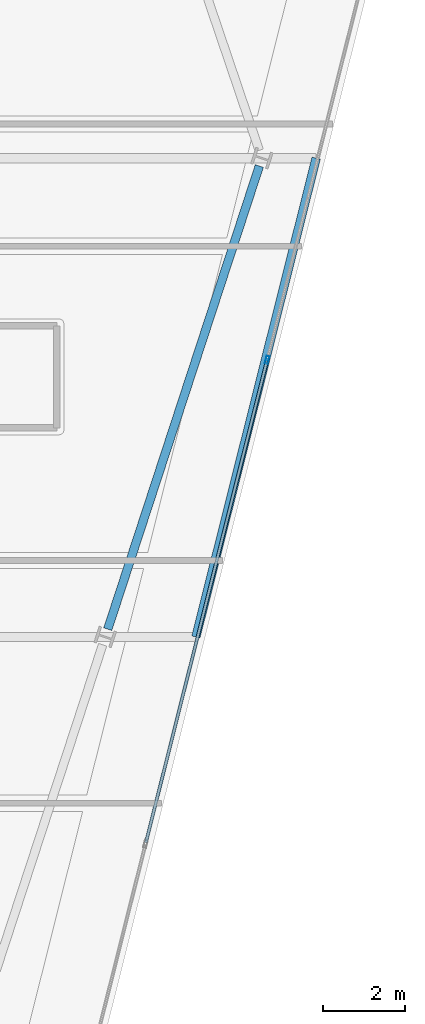
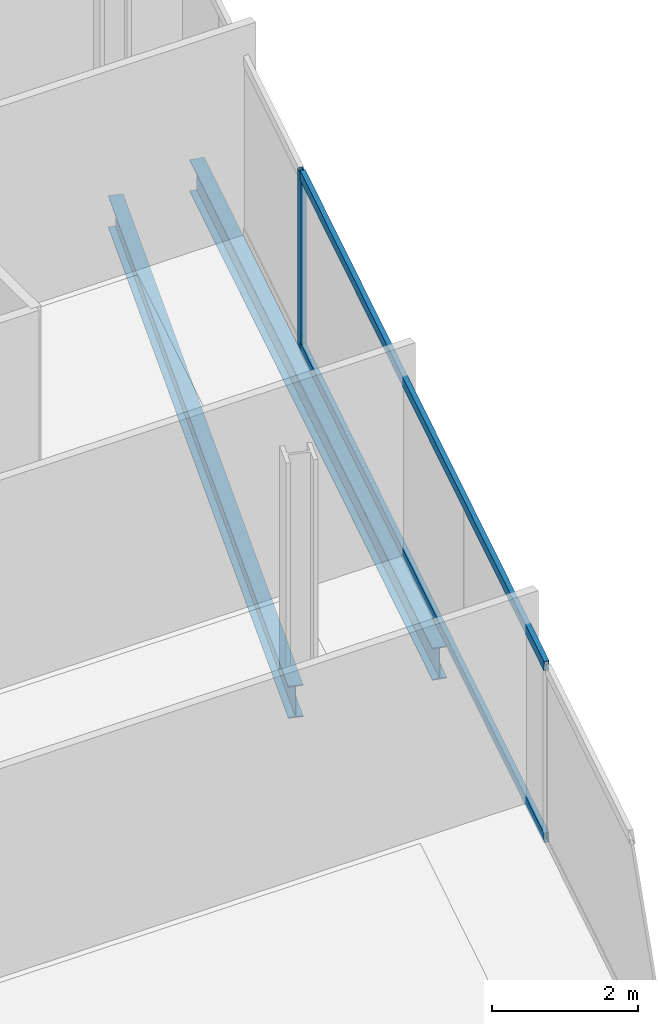
# One storey, part 11 of 28: 3 members, 2 beams, 1 element without a shape of its own.
"""IFC4 building model written with IfcOpenShell, lengths in metres."""

from ifc_helpers import new_model, si_unit, direction, frame, origin, origin_2d, place, context, subcontext, project, spatial, hollow_rectangle, i_section, extrude, material, material_profile, profile_set, type_object, element, aggregate, save


model = new_model("IFC4")

# Units and contexts
model_context = context("Model", 3, precision=1e-05, world=origin(), true_north=direction((0.0, 1.0)))
body_context = subcontext(model_context, "Body", "Model", "MODEL_VIEW")
ifc_project = project(units=[si_unit("LENGTHUNIT", "METRE"), si_unit("AREAUNIT", "SQUARE_METRE"), si_unit("VOLUMEUNIT", "CUBIC_METRE"), si_unit("PLANEANGLEUNIT", "RADIAN"), si_unit("MASSUNIT", "GRAM", prefix="KILO")], contexts=[model_context])

# Site, building, storey
site_placement = place(None, origin())
site = spatial("IfcSite", under=ifc_project, at=site_placement, CompositionType="ELEMENT")
building_placement = place(site_placement, origin())
building = spatial("IfcBuilding", under=site, at=building_placement, Name="Haldenkirk Collegiate Tower", CompositionType="ELEMENT")
storey_placement = place(building_placement, frame((0.0, 0.0, 282.449951171875)))
storey = spatial("IfcBuildingStorey", under=building, at=storey_placement, Name="L71", CompositionType="ELEMENT", Elevation=282.449951171875)

# Beams
ifc_material_1 = material(Name="Steel ASTM A992 Grade 50", Category="steel")
ifc_material_profile_1 = material_profile(ifc_material_1, i_section(OverallWidth=0.2099609375, OverallDepth=0.537109375, WebThickness=0.010986328125, FlangeThickness=0.017333984375, at=origin_2d()), Name="W21X68")
ifc_profile_set_1 = profile_set([ifc_material_profile_1], Name="Steel ASTM A992 Grade 50")
beam_type = type_object("IfcBeamType", Name="BM-SPANDREL-W21X68", PredefinedType="SPANDREL", material=ifc_profile_set_1)
beam_1_placement = place(storey_placement, frame((55.54638671875, 19.81689453125, -0.538330078125), z_axis=(0.311010188249, 0.950406577631, 0.0), x_axis=(-0.950406577631, 0.311010188249, 0.0)))
element("IfcBeam", 1, at=beam_1_placement, inside=storey, type_object=beam_type, Name="L71 perimeter spandrel beam 03", PredefinedType="SPANDREL", context=body_context, shape_type="SweptSolid", body=[
    extrude(i_section(OverallWidth=0.2099609375, OverallDepth=0.537109375, WebThickness=0.010986328125, FlangeThickness=0.017333984375, at=origin_2d()), origin(), (0.0, 0.0, 1.0), 11.94287109375),
])
beam_2_placement = place(storey_placement, frame((57.705810546875, 19.624267578125, -0.538330078125), z_axis=(0.243608379969, 0.969873681058, 0.0), x_axis=(-0.969873681058, 0.243608379969, 0.0)))
element("IfcBeam", 2, at=beam_2_placement, inside=storey, type_object=beam_type, Name="L71 outer facade edge beam 1", PredefinedType="SPANDREL", context=body_context, shape_type="SweptSolid", body=[
    extrude(i_section(OverallWidth=0.2099609375, OverallDepth=0.537109375, WebThickness=0.010986328125, FlangeThickness=0.017333984375, at=origin_2d()), origin(), (0.0, 0.0, 1.0), 12.100341796875),
])

# Curtain wall, members
ifc_material_2 = material(Name="Anodised architectural bronze aluminium", Category="aluminium")
curtain_wall_type = type_object("IfcCurtainWallType", Name="CW-SYS2-CONCAVE", PredefinedType="USERDEFINED", material=ifc_material_2)
curtain_wall_placement = place(storey_placement, origin())
curtain_wall = element("IfcCurtainWall", 3, at=curtain_wall_placement, inside=storey, type_object=curtain_wall_type, Name="L71 South concave recessed bronze-anodised curtain wall", ObjectType="UNITISED CURTAIN WALL", PredefinedType="USERDEFINED")
ifc_material_profile_2 = material_profile(ifc_material_2, hollow_rectangle(XDim=0.074951171875, YDim=0.18994140625, WallThickness=0.0048828125, at=origin_2d()), Name="CW-MUL-02")
ifc_profile_set_2 = profile_set([ifc_material_profile_2], Name="Anodised architectural bronze aluminium")
member_type_1 = type_object("IfcMemberType", Name="CW-MUL-02", PredefinedType="MULLION", material=ifc_profile_set_2)
member_1_placement = place(storey_placement, frame((59.452880859375, 26.415771484375, 0.0), z_axis=(0.0, 0.0, 1.0), x_axis=(0.96987230545, -0.243613856588, 0.0)))
member_1 = element("IfcMember", 4, at=member_1_placement, type_object=member_type_1, Name="CW-02 mullion 2", PredefinedType="MULLION", context=body_context, shape_type="SweptSolid", body=[
    extrude(hollow_rectangle(XDim=0.074951171875, YDim=0.18994140625, WallThickness=0.0048828125, at=origin_2d()), origin(), (0.0, 0.0, 1.0), 2.93798828125),
])
ifc_material_profile_3 = material_profile(ifc_material_2, hollow_rectangle(XDim=0.074951171875, YDim=0.159912109375, WallThickness=0.0048828125, at=origin_2d()), Name="CW-TRN-02")
ifc_profile_set_3 = profile_set([ifc_material_profile_3], Name="Anodised architectural bronze aluminium")
member_type_2 = type_object("IfcMemberType", Name="CW-TRN-02", PredefinedType="USERDEFINED", material=ifc_profile_set_3)
member_2_placement = place(storey_placement, frame((59.443603515625, 26.37939453125, 0.03759765625), z_axis=(-0.243612717999, -0.969872591441, 0.0), x_axis=(0.969872591441, -0.243612717999, 0.0)))
member_2 = element("IfcMember", 5, at=member_2_placement, type_object=member_type_2, Name="CW-02 transom 2.1", ObjectType="TRANSOM", PredefinedType="USERDEFINED", context=body_context, shape_type="SweptSolid", body=[
    extrude(hollow_rectangle(XDim=0.074951171875, YDim=0.159912109375, WallThickness=0.0048828125, at=origin_2d()), origin(), (0.0, 0.0, 1.0), 12.158203125),
])
member_3_placement = place(storey_placement, frame((59.443603515625, 26.37939453125, 2.900634765625), z_axis=(-0.243612717999, -0.969872591441, 0.0), x_axis=(0.969872591441, -0.243612717999, 0.0)))
member_3 = element("IfcMember", 6, at=member_3_placement, type_object=member_type_2, Name="CW-02 transom 2.2", ObjectType="TRANSOM", PredefinedType="USERDEFINED", context=body_context, shape_type="SweptSolid", body=[
    extrude(hollow_rectangle(XDim=0.074951171875, YDim=0.159912109375, WallThickness=0.0048828125, at=origin_2d()), origin(), (0.0, 0.0, 1.0), 12.158203125),
])
aggregate(curtain_wall, [member_1, member_2, member_3])

save(model, "model.ifc")
